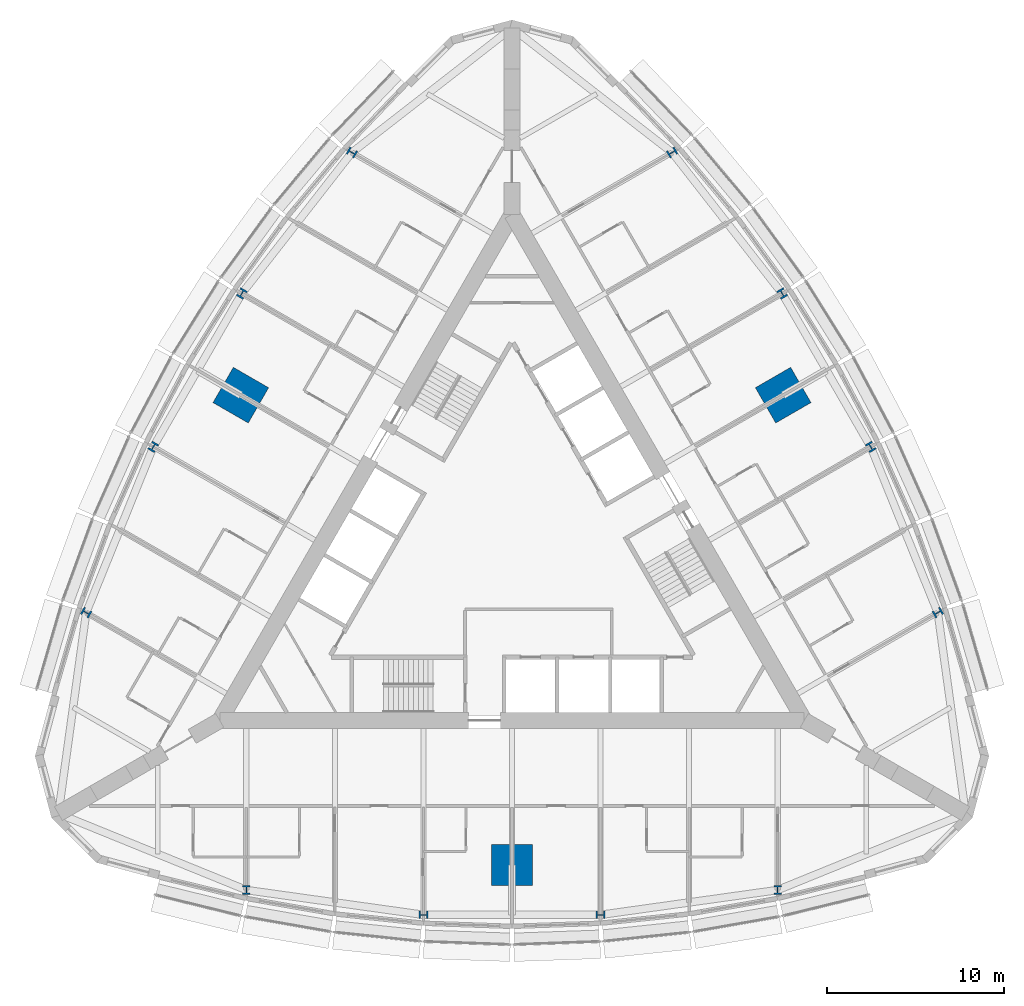
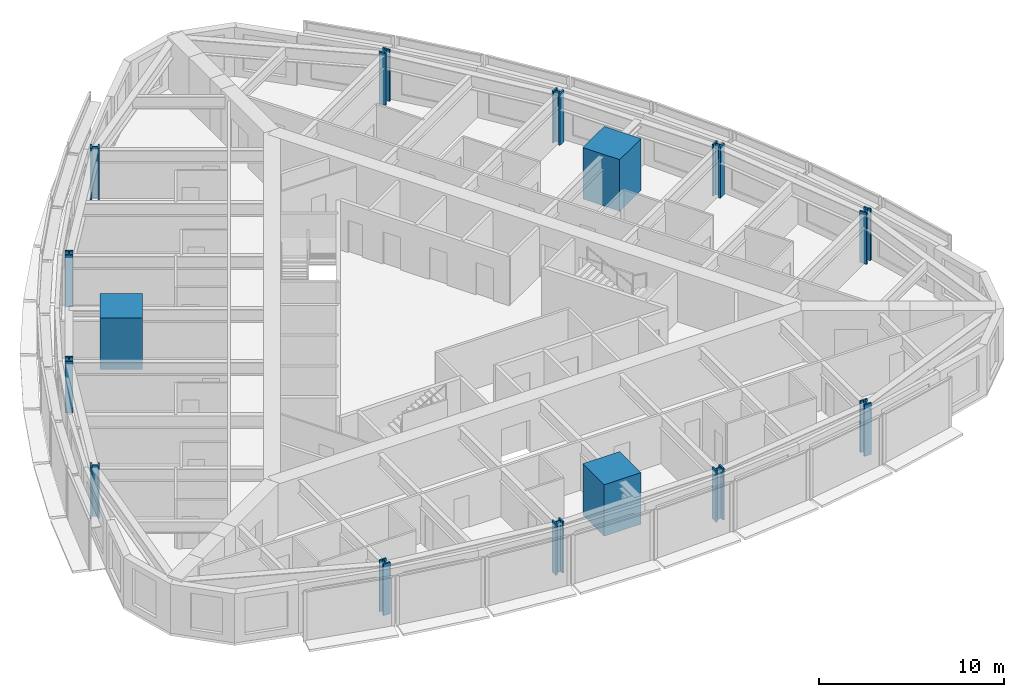
# One storey, part 1 of 14: 15 columns.
"""IFC4 building model written with IfcOpenShell, lengths in metres."""

from ifc_helpers import new_model, si_unit, direction, frame, origin, origin_2d, place, context, subcontext, project, spatial, rectangle, i_section, extrude, material, material_profile, profile_set, type_object, element, save


model = new_model("IFC4")

# Units and contexts
model_context = context("Model", 3, precision=1e-05, world=origin(), true_north=direction((0.0, 1.0)))
body_context = subcontext(model_context, "Body", "Model", "MODEL_VIEW")
ifc_project = project(units=[si_unit("LENGTHUNIT", "METRE"), si_unit("AREAUNIT", "SQUARE_METRE"), si_unit("VOLUMEUNIT", "CUBIC_METRE"), si_unit("PLANEANGLEUNIT", "RADIAN"), si_unit("MASSUNIT", "GRAM", prefix="KILO")], contexts=[model_context])

# Site, building, storey
site_placement = place(None, origin())
site = spatial("IfcSite", under=ifc_project, at=site_placement, CompositionType="ELEMENT")
building_placement = place(site_placement, origin())
building = spatial("IfcBuilding", under=site, at=building_placement, Name="Trikona Tower", CompositionType="ELEMENT")
storey_placement = place(building_placement, frame((0.0, 0.0, 138.5)))
storey = spatial("IfcBuildingStorey", under=building, at=storey_placement, Name="L36", CompositionType="ELEMENT", Elevation=138.5)

# Columns
ifc_material_1 = material(Name="Concrete f'c 10000 psi with encased steel section", Category="concrete")
ifc_material_profile_1 = material_profile(ifc_material_1, rectangle(XDim=2.300048828125, YDim=2.300048828125, at=origin_2d()), Name="MC2300")
ifc_profile_set_1 = profile_set([ifc_material_profile_1], Name="Concrete f'c 10000 psi with encased steel section")
column_type_1 = type_object("IfcColumnType", Name="Composite mega column 2300x2300", PredefinedType="COLUMN", material=ifc_profile_set_1)
for number, where, z_axis, x_axis, name in (
    (1, (0.0, -17.680419921875, 0.0), (0.0, 0.0, 1.0), (0.0, -1.0, 0.0), "Mega column MC1"),
    (2, (15.311767578125, 8.84033203125, 0.0), (0.0, 0.0, 1.0), (0.866025403784, 0.5, 0.0), "Mega column MC2"),
    (3, (-15.311767578125, 8.84033203125, 0.0), (0.0, 0.0, 1.0), (-0.866025403784, 0.5, 0.0), "Mega column MC3"),
):
    element("IfcColumn", number, at=place(storey_placement, frame(where, z_axis=z_axis, x_axis=x_axis)), inside=storey, type_object=column_type_1, Name=name, PredefinedType="COLUMN", context=body_context, shape_type="SweptSolid", body=[
        extrude(rectangle(XDim=2.300048828125, YDim=2.300048828125, at=origin_2d()), origin(), (0.0, 0.0, 1.0), 3.39990234375),
    ])
ifc_material_2 = material(Name="Steel ASTM A992 Grade 50", Category="steel")
ifc_material_profile_2 = material_profile(ifc_material_2, i_section(OverallWidth=0.436767578125, OverallDepth=0.51318359375, WebThickness=0.060546875, FlangeThickness=0.096923828125, at=origin_2d()), Name="W14X550")
ifc_profile_set_2 = profile_set([ifc_material_profile_2], Name="Steel ASTM A992 Grade 50")
column_type_2 = type_object("IfcColumnType", Name="Steel column W14x550", PredefinedType="COLUMN", material=ifc_profile_set_2)
for number, where, z_axis, x_axis, name in (
    (4, (-15.0, -19.10009765625, 0.0), (0.0, 0.0, 1.0), (1.0, 0.0, 0.0), "Column F0m15"),
    (5, (-5.0, -20.500244140625, 0.0), (0.0, 0.0, 1.0), (0.0, -1.0, 0.0), "Column F0m5"),
    (6, (5.0, -20.500244140625, 0.0), (0.0, 0.0, 1.0), (0.0, -1.0, 0.0), "Column F0p5"),
    (7, (15.0, -19.10009765625, 0.0), (0.0, 0.0, 1.0), (1.0, 0.0, 0.0), "Column F0p15"),
    (8, (24.041259765625, -3.440185546875, 0.0), (0.0, 0.0, 1.0), (-0.5, 0.866025403784, 0.0), "Column F1m15"),
    (9, (20.253662109375, 5.919921875, 0.0), (0.0, 0.0, 1.0), (0.866025403784, 0.5, 0.0), "Column F1m5"),
    (10, (15.253662109375, 14.580078125, 0.0), (0.0, 0.0, 1.0), (0.866025403784, 0.5, 0.0), "Column F1p5"),
    (11, (9.041259765625, 22.54052734375, 0.0), (0.0, 0.0, 1.0), (-0.5, 0.866025403784, 0.0), "Column F1p15"),
    (12, (-9.041259765625, 22.54052734375, 0.0), (0.0, 0.0, 1.0), (-0.5, -0.866025403784, 0.0), "Column F2m15"),
    (13, (-15.253662109375, 14.580078125, 0.0), (0.0, 0.0, 1.0), (-0.866025403784, 0.5, 0.0), "Column F2m5"),
    (14, (-20.253662109375, 5.919921875, 0.0), (0.0, 0.0, 1.0), (-0.866025403784, 0.5, 0.0), "Column F2p5"),
    (15, (-24.041259765625, -3.440185546875, 0.0), (0.0, 0.0, 1.0), (-0.5, -0.866025403784, 0.0), "Column F2p15"),
):
    element("IfcColumn", number, at=place(storey_placement, frame(where, z_axis=z_axis, x_axis=x_axis)), inside=storey, type_object=column_type_2, Name=name, PredefinedType="COLUMN", context=body_context, shape_type="SweptSolid", body=[
        extrude(i_section(OverallWidth=0.436767578125, OverallDepth=0.51318359375, WebThickness=0.060546875, FlangeThickness=0.096923828125, at=origin_2d()), origin(), (0.0, 0.0, 1.0), 3.39990234375),
    ])

save(model, "model.ifc")
